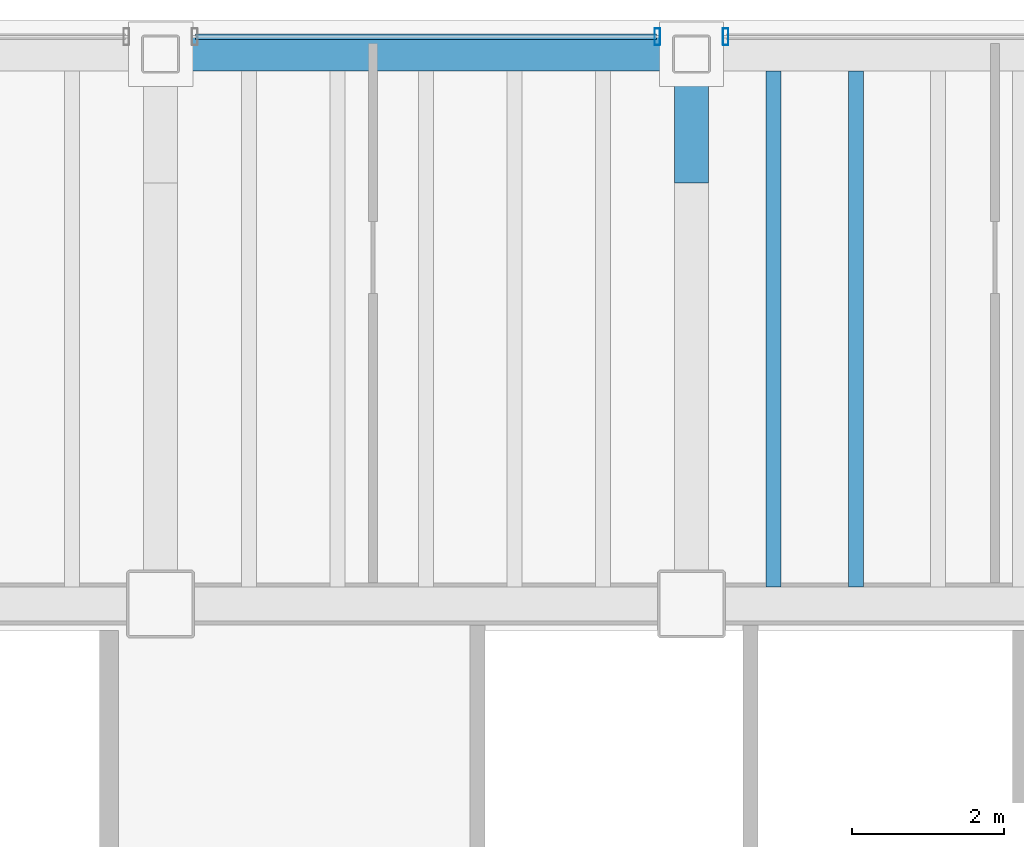
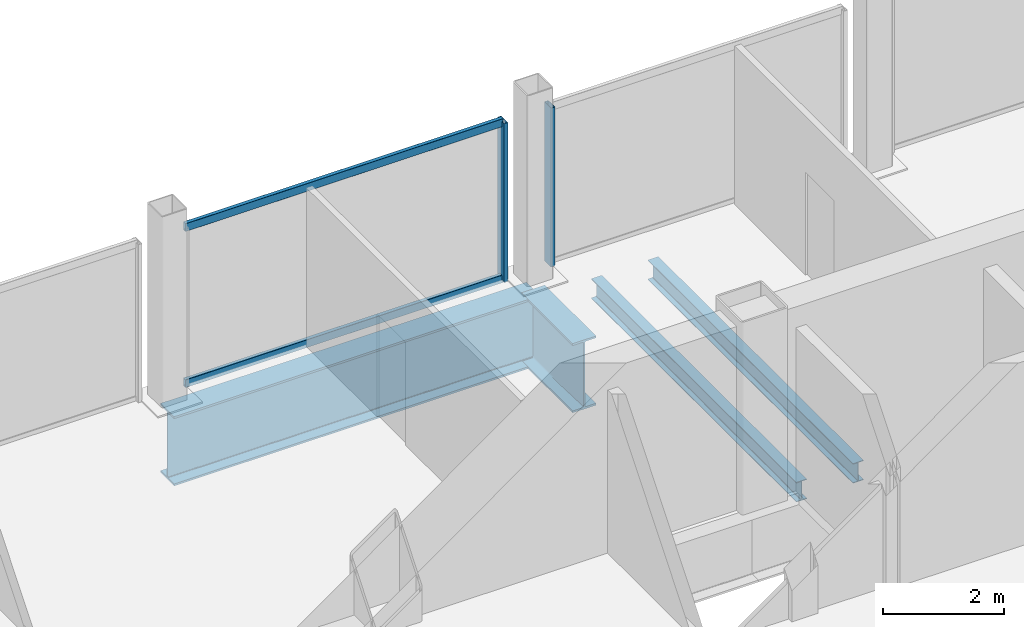
# One storey, part 12 of 24: 4 beams, 4 members, 2 elements without a shape of their own.
"""IFC4 building model written with IfcOpenShell, lengths in metres."""

from ifc_helpers import new_model, si_unit, direction, frame, origin, origin_2d, place, context, subcontext, project, spatial, hollow_rectangle, i_section, extrude, material, material_profile, profile_set, type_object, element, aggregate, save


model = new_model("IFC4")

# Units and contexts
model_context = context("Model", 3, precision=1e-05, world=origin(), true_north=direction((0.0, 1.0)))
body_context = subcontext(model_context, "Body", "Model", "MODEL_VIEW")
ifc_project = project(units=[si_unit("LENGTHUNIT", "METRE"), si_unit("AREAUNIT", "SQUARE_METRE"), si_unit("VOLUMEUNIT", "CUBIC_METRE"), si_unit("PLANEANGLEUNIT", "RADIAN"), si_unit("MASSUNIT", "GRAM", prefix="KILO")], contexts=[model_context])

# Site, building, storey
site_placement = place(None, origin())
site = spatial("IfcSite", under=ifc_project, at=site_placement, CompositionType="ELEMENT")
building_placement = place(site_placement, origin())
building = spatial("IfcBuilding", under=site, at=building_placement, Name="Noeulbin Bourse Tower", CompositionType="ELEMENT")
storey_placement = place(building_placement, frame((0.0, 0.0, 142.199951171875)))
storey = spatial("IfcBuildingStorey", under=building, at=storey_placement, Name="L35", CompositionType="ELEMENT", Elevation=142.199951171875)

# Beams
ifc_material_1 = material(Name="Steel S355", Category="steel")
ifc_material_profile_1 = material_profile(ifc_material_1, i_section(OverallWidth=0.199951171875, OverallDepth=0.39990234375, WebThickness=0.008056640625, FlangeThickness=0.012939453125, FilletRadius=0.01611328125, at=origin_2d()), Name="H-400x200x8x13", Category="LoadBearing")
ifc_profile_set_1 = profile_set([ifc_material_profile_1], Name="Steel S355")
beam_type_1 = type_object("IfcBeamType", Name="BM-SEC-400", PredefinedType="BEAM", material=ifc_profile_set_1)
for number, where, z_axis, x_axis, name in (
    (1, (32.083251953125, 38.52490234375, -0.43994140625), (0.0, 1.0, 0.0), (-1.0, 0.0, 0.0), "Tower Composite Joist L35-42"),
    (2, (33.166748046875, 38.52490234375, -0.43994140625), (0.0, 1.0, 0.0), (-1.0, 0.0, 0.0), "Tower Composite Joist L35-45"),
):
    element("IfcBeam", number, at=place(storey_placement, frame(where, z_axis=z_axis, x_axis=x_axis)), inside=storey, type_object=beam_type_1, Name=name, PredefinedType="BEAM", context=body_context, shape_type="SweptSolid", body=[
        extrude(i_section(OverallWidth=0.199951171875, OverallDepth=0.39990234375, WebThickness=0.008056640625, FlangeThickness=0.012939453125, FilletRadius=0.01611328125, at=origin_2d()), origin(), (0.0, 0.0, 1.0), 6.800048828125),
    ])
ifc_material_2 = material(Name="Steel S460", Category="steel")
ifc_material_profile_2 = material_profile(ifc_material_2, i_section(OverallWidth=0.449951171875, OverallDepth=1.39990234375, WebThickness=0.02392578125, FlangeThickness=0.0400390625, FilletRadius=0.02392578125, at=origin_2d()), Name="PG-1400x450x24x40", Category="LoadBearing")
ifc_profile_set_2 = profile_set([ifc_material_profile_2], Name="Steel S460")
beam_type_2 = type_object("IfcBeamType", Name="BM-TRF-1400", PredefinedType="USERDEFINED", material=ifc_profile_set_2)
beam_1_placement = place(storey_placement, frame((31.0, 43.85009765625, -0.93994140625), z_axis=(0.0, 1.0, 0.0), x_axis=(-1.0, 0.0, 0.0)))
element("IfcBeam", 3, at=beam_1_placement, inside=storey, type_object=beam_type_2, Name="Tower Primary Girder NS L35-3.5", ObjectType="GIRDER", PredefinedType="USERDEFINED", context=body_context, shape_type="SweptSolid", body=[
    extrude(i_section(OverallWidth=0.449951171875, OverallDepth=1.39990234375, WebThickness=0.02392578125, FlangeThickness=0.0400390625, FilletRadius=0.02392578125, at=origin_2d()), origin(), (0.0, 0.0, 1.0), 1.699951171875),
])
beam_2_placement = place(storey_placement, frame((24.0, 45.550048828125, -0.93994140625), z_axis=(1.0, 0.0, 0.0), x_axis=(0.0, 1.0, 0.0)))
element("IfcBeam", 4, at=beam_2_placement, inside=storey, type_object=beam_type_2, Name="North Spandrel L35-2", ObjectType="GIRDER", PredefinedType="USERDEFINED", context=body_context, shape_type="SweptSolid", body=[
    extrude(i_section(OverallWidth=0.449951171875, OverallDepth=1.39990234375, WebThickness=0.02392578125, FlangeThickness=0.0400390625, FilletRadius=0.02392578125, at=origin_2d()), origin(), (0.0, 0.0, 1.0), 7.0),
])

# Curtain wall, member
ifc_material_3 = material(Name="Dark Tinted Triple Glazing", Category="glass")
curtain_wall_type = type_object("IfcCurtainWallType", Name="CW-SYS-3", PredefinedType="NOTDEFINED", material=ifc_material_3)
curtain_wall_1_placement = place(storey_placement, origin())
curtain_wall_1 = element("IfcCurtainWall", 5, at=curtain_wall_1_placement, inside=storey, type_object=curtain_wall_type, Name="Unitised Curtain Wall CW-L35-N-S3", PredefinedType="NOTDEFINED")
ifc_material_4 = material(Name="Anodised Aluminium 6063-T6", Category="aluminium")
ifc_material_profile_3 = material_profile(ifc_material_4, hollow_rectangle(XDim=0.074951171875, YDim=0.219970703125, WallThickness=0.0048828125, InnerFilletRadius=0.00244140625, OuterFilletRadius=0.0048828125, at=origin_2d()), Name="ALU-MULL-75x220x5", Category="LoadBearing")
ifc_profile_set_3 = profile_set([ifc_material_profile_3], Name="Anodised Aluminium 6063-T6")
member_type_1 = type_object("IfcMemberType", Name="CW-SYS-3-MUL", PredefinedType="MULLION", material=ifc_profile_set_3)
member_1_placement = place(storey_placement, frame((30.550048828125, 45.780029296875, -0.02001953125), z_axis=(0.0, 0.0, 1.0), x_axis=(1.0, 0.0, 0.0)))
member_1 = element("IfcMember", 6, at=member_1_placement, type_object=member_type_1, Name="Curtain Wall Mullion CW-L35-N-S3-M01", PredefinedType="MULLION", context=body_context, shape_type="SweptSolid", body=[
    extrude(hollow_rectangle(XDim=0.074951171875, YDim=0.219970703125, WallThickness=0.0048828125, InnerFilletRadius=0.00244140625, OuterFilletRadius=0.0048828125, at=origin_2d()), origin(), (0.0, 0.0, 1.0), 3.219970703125),
])

curtain_wall_2_placement = place(storey_placement, origin())
curtain_wall_2 = element("IfcCurtainWall", 7, at=curtain_wall_2_placement, inside=storey, type_object=curtain_wall_type, Name="Unitised Curtain Wall CW-L35-N-S4", PredefinedType="NOTDEFINED")
member_2_placement = place(storey_placement, frame((31.449951171875, 45.780029296875, -0.02001953125), z_axis=(0.0, 0.0, 1.0), x_axis=(1.0, 0.0, 0.0)))
member_2 = element("IfcMember", 8, at=member_2_placement, type_object=member_type_1, Name="Curtain Wall Mullion CW-L35-N-S4-M00", PredefinedType="MULLION", context=body_context, shape_type="SweptSolid", body=[
    extrude(hollow_rectangle(XDim=0.074951171875, YDim=0.219970703125, WallThickness=0.0048828125, InnerFilletRadius=0.00244140625, OuterFilletRadius=0.0048828125, at=origin_2d()), origin(), (0.0, 0.0, 1.0), 3.219970703125),
])
aggregate(curtain_wall_2, [member_2])

# Member
ifc_material_profile_4 = material_profile(ifc_material_4, hollow_rectangle(XDim=0.074951171875, YDim=0.159912109375, WallThickness=0.0048828125, InnerFilletRadius=0.00244140625, OuterFilletRadius=0.0048828125, at=origin_2d()), Name="ALU-TRAN-75x160x5", Category="LoadBearing")
ifc_profile_set_4 = profile_set([ifc_material_profile_4], Name="Anodised Aluminium 6063-T6")
member_type_2 = type_object("IfcMemberType", Name="CW-SYS-3-TRN", PredefinedType="USERDEFINED", material=ifc_profile_set_4)
member_3_placement = place(storey_placement, frame((24.4599609375, 45.780029296875, 0.010009765625), z_axis=(1.0, 0.0, 0.0), x_axis=(0.0, 1.0, 0.0)))
member_3 = element("IfcMember", 9, at=member_3_placement, type_object=member_type_2, Name="Curtain Wall Transom CW-L35-N-S3-T00", ObjectType="TRANSOM", PredefinedType="USERDEFINED", context=body_context, shape_type="SweptSolid", body=[
    extrude(hollow_rectangle(XDim=0.074951171875, YDim=0.159912109375, WallThickness=0.0048828125, InnerFilletRadius=0.00244140625, OuterFilletRadius=0.0048828125, at=origin_2d()), origin(), (0.0, 0.0, 1.0), 6.080078125),
])

member_4_placement = place(storey_placement, frame((24.4599609375, 45.780029296875, 3.170166015625), z_axis=(1.0, 0.0, 0.0), x_axis=(0.0, 1.0, 0.0)))
member_4 = element("IfcMember", 10, at=member_4_placement, type_object=member_type_2, Name="Curtain Wall Transom CW-L35-N-S3-T01", ObjectType="TRANSOM", PredefinedType="USERDEFINED", context=body_context, shape_type="SweptSolid", body=[
    extrude(hollow_rectangle(XDim=0.074951171875, YDim=0.159912109375, WallThickness=0.0048828125, InnerFilletRadius=0.00244140625, OuterFilletRadius=0.0048828125, at=origin_2d()), origin(), (0.0, 0.0, 1.0), 6.080078125),
])

aggregate(curtain_wall_1, [member_1, member_3, member_4])

save(model, "model.ifc")
